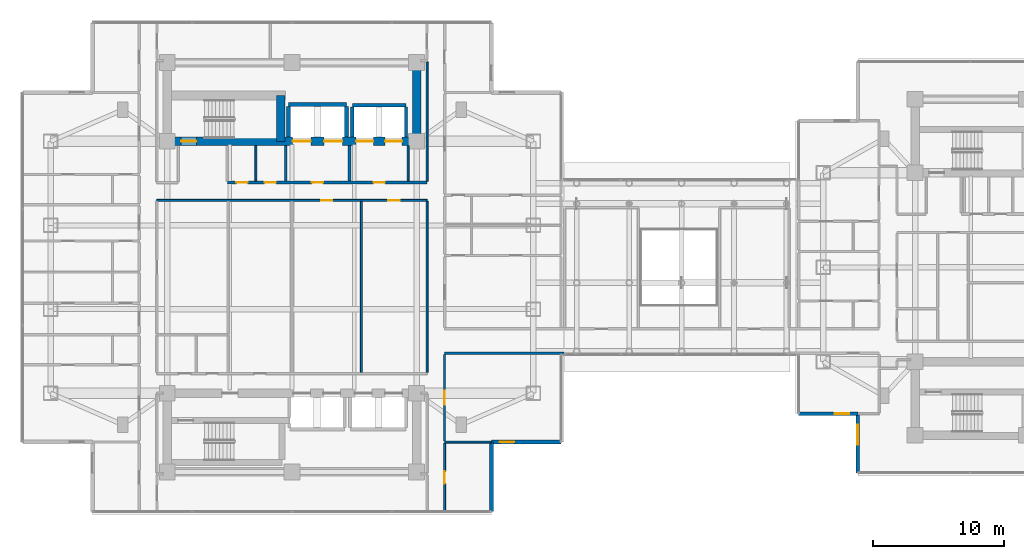
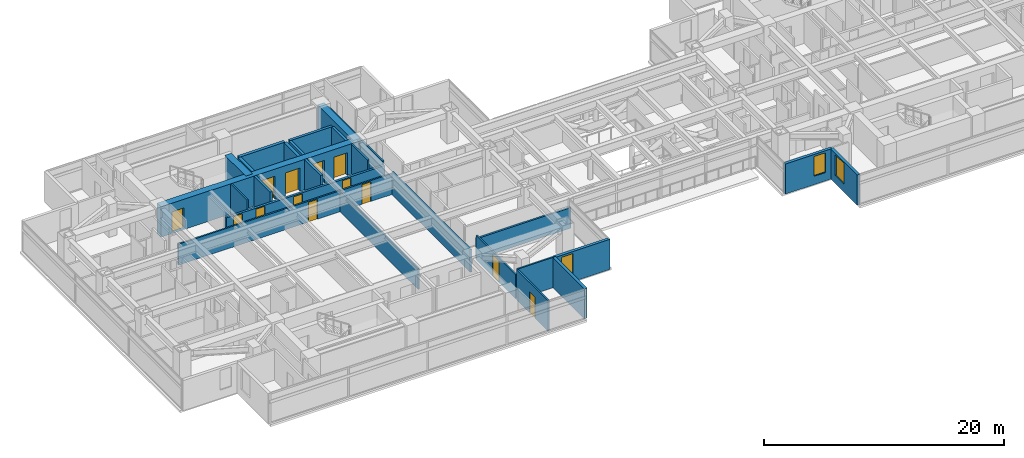
# One storey, part 17 of 28: 26 walls, 13 doors, 3 windows, 16 openings.
"""IFC4 building model written with IfcOpenShell, lengths in metres."""

from ifc_helpers import new_model, si_unit, direction, frame, frame_2d, origin, place, context, subcontext, project, spatial, rectangle, extrude, material, layer, layer_set, type_object, element, fill, save


model = new_model("IFC4")

# Units and contexts
model_context = context("Model", 3, precision=1e-05, world=origin(), true_north=direction((0.0, 1.0)))
body_context = subcontext(model_context, "Body", "Model", "MODEL_VIEW")
ifc_project = project(units=[si_unit("LENGTHUNIT", "METRE"), si_unit("AREAUNIT", "SQUARE_METRE"), si_unit("VOLUMEUNIT", "CUBIC_METRE"), si_unit("PLANEANGLEUNIT", "RADIAN"), si_unit("MASSUNIT", "GRAM", prefix="KILO")], contexts=[model_context])

# Site, building, storey
site_placement = place(None, origin())
site = spatial("IfcSite", under=ifc_project, at=site_placement, CompositionType="ELEMENT")
building_placement = place(site_placement, origin())
building = spatial("IfcBuilding", under=site, at=building_placement, Name="Mirazonda Arch Towers", CompositionType="ELEMENT")
storey_placement = place(building_placement, frame((0.0, 0.0, 91.699951171875)))
storey = spatial("IfcBuildingStorey", under=building, at=storey_placement, Name="L25", CompositionType="ELEMENT", Elevation=91.699951171875)

# Wall
ifc_material_1 = material(Name="Concrete C60/75", Category="concrete")
ifc_layer_1 = layer(ifc_material_1, 0.64990234375, Name="WALL-CORE-650")
ifc_layer_set_1 = layer_set([ifc_layer_1], Name="Concrete C60/75")
wall_type_1 = type_object("IfcWallType", Name="WALL-CORE-650", PredefinedType="SHEAR", material=ifc_layer_set_1)
wall_1_placement = place(storey_placement, frame((30.0, 37.60009765625, 0.0), z_axis=(0.0, 0.0, 1.0), x_axis=(0.0, 1.0, 0.0)))
element("IfcWall", 1, at=wall_1_placement, inside=storey, type_object=wall_type_1, Name="L25 T1N-E Core Shear Wall", PredefinedType="SHEAR", context=body_context, shape_type="SweptSolid", body=[
    extrude(rectangle(XDim=6.0, YDim=0.64990234375, at=frame_2d((3.0, 0.0))), origin(), (0.0, 0.0, 1.0), 3.080078125),
])

# Wall, openings, doors
wall_2_placement = place(storey_placement, frame((11.0, 37.60009765625, 0.0), z_axis=(0.0, 0.0, 1.0), x_axis=(1.0, 0.0, 0.0)))
wall_2 = element("IfcWall", 2, at=wall_2_placement, inside=storey, type_object=wall_type_1, Name="L25 T1N-S Core Shear Wall", PredefinedType="SHEAR", context=body_context, shape_type="SweptSolid", body=[
    extrude(rectangle(XDim=19.0, YDim=0.64990234375, at=frame_2d((9.5, 0.0))), origin(), (0.0, 0.0, 1.0), 3.080078125),
])
opening_1_placement = place(wall_2_placement, frame((1.06005859375, 0.0, 0.0)))
opening_1 = element("IfcOpeningElement", 3, at=opening_1_placement, cuts=wall_2, Name="Opening DR-135", PredefinedType="OPENING", context=body_context, shape_type="SweptSolid", body=[
    extrude(rectangle(XDim=1.14990234375, YDim=2.199951171875, at=frame_2d((0.574951171875, 1.10009765625))), frame((0.0, 0.3349609375, 0.0), z_axis=(0.0, -1.0, 0.0), x_axis=(1.0, 0.0, 0.0)), (0.0, 0.0, 1.0), 0.669921875),
])
opening_2_placement = place(wall_2_placement, frame((9.550048828125, 0.0, 0.0)))
opening_2 = element("IfcOpeningElement", 4, at=opening_2_placement, cuts=wall_2, Name="Opening LD-112", PredefinedType="OPENING", context=body_context, shape_type="SweptSolid", body=[
    extrude(rectangle(XDim=1.39990234375, YDim=2.35009765625, at=frame_2d((0.699951171875, 1.175048828125))), frame((0.0, 0.3349609375, 0.0), z_axis=(0.0, -1.0, 0.0), x_axis=(1.0, 0.0, 0.0)), (0.0, 0.0, 1.0), 0.669921875),
])
opening_3_placement = place(wall_2_placement, frame((11.949951171875, 0.0, 0.0)))
opening_3 = element("IfcOpeningElement", 5, at=opening_3_placement, cuts=wall_2, Name="Opening LD-112", PredefinedType="OPENING", context=body_context, shape_type="SweptSolid", body=[
    extrude(rectangle(XDim=1.39990234375, YDim=2.35009765625, at=frame_2d((0.699951171875, 1.175048828125))), frame((0.0, 0.3349609375, 0.0), z_axis=(0.0, -1.0, 0.0), x_axis=(1.0, 0.0, 0.0)), (0.0, 0.0, 1.0), 0.669921875),
])
opening_4_placement = place(wall_2_placement, frame((14.39990234375, 0.0, 0.0)))
opening_4 = element("IfcOpeningElement", 6, at=opening_4_placement, cuts=wall_2, Name="Opening LD-111", PredefinedType="OPENING", context=body_context, shape_type="SweptSolid", body=[
    extrude(rectangle(XDim=1.300048828125, YDim=2.300048828125, at=frame_2d((0.64990234375, 1.14990234375))), frame((0.0, 0.3349609375, 0.0), z_axis=(0.0, -1.0, 0.0), x_axis=(1.0, 0.0, 0.0)), (0.0, 0.0, 1.0), 0.669921875),
])
opening_5_placement = place(wall_2_placement, frame((16.60009765625, 0.0, 0.0)))
opening_5 = element("IfcOpeningElement", 7, at=opening_5_placement, cuts=wall_2, Name="Opening LD-111", PredefinedType="OPENING", context=body_context, shape_type="SweptSolid", body=[
    extrude(rectangle(XDim=1.300048828125, YDim=2.300048828125, at=frame_2d((0.64990234375, 1.14990234375))), frame((0.0, 0.3349609375, 0.0), z_axis=(0.0, -1.0, 0.0), x_axis=(1.0, 0.0, 0.0)), (0.0, 0.0, 1.0), 0.669921875),
])
ifc_material_2 = material(Name="Architectural Brushed Steel S355", Category="steel")
door_type_1 = type_object("IfcDoorType", Name="DOOR-LIFT-FFL-1400", OperationType="NOTDEFINED", PredefinedType="DOOR", material=ifc_material_2)
door_1_placement = place(opening_2_placement, origin())
door_1 = element("IfcDoor", 8, at=door_1_placement, inside=storey, type_object=door_type_1, Name="L25 Lift Landing Sliding Door FFL-T1", OperationType="DOUBLE_DOOR_SLIDING", OverallHeight=2.35009765625, OverallWidth=1.39990234375, PredefinedType="DOOR", context=body_context, shape_type="SweptSolid", body=[
    extrude(rectangle(XDim=1.39990234375, YDim=2.35009765625, at=frame_2d((0.699951171875, 1.175048828125))), frame((0.0, 0.02490234375, 0.0), z_axis=(0.0, -1.0, 0.0), x_axis=(1.0, 0.0, 0.0)), (0.0, 0.0, 1.0), 0.050048828125),
])
fill(opening_2, door_1)
door_2_placement = place(opening_3_placement, origin())
door_2 = element("IfcDoor", 9, at=door_2_placement, inside=storey, type_object=door_type_1, Name="L25 Lift Landing Sliding Door SVL-T1", OperationType="DOUBLE_DOOR_SLIDING", OverallHeight=2.35009765625, OverallWidth=1.39990234375, PredefinedType="DOOR", context=body_context, shape_type="SweptSolid", body=[
    extrude(rectangle(XDim=1.39990234375, YDim=2.35009765625, at=frame_2d((0.699951171875, 1.175048828125))), frame((0.0, 0.02490234375, 0.0), z_axis=(0.0, -1.0, 0.0), x_axis=(1.0, 0.0, 0.0)), (0.0, 0.0, 1.0), 0.050048828125),
])
fill(opening_3, door_2)
door_type_2 = type_object("IfcDoorType", Name="DOOR-LIFT-LAND-1300", OperationType="NOTDEFINED", PredefinedType="DOOR", material=ifc_material_2)
door_3_placement = place(opening_4_placement, origin())
door_3 = element("IfcDoor", 10, at=door_3_placement, inside=storey, type_object=door_type_2, Name="L25 Lift Landing Sliding Door PL-T1L1", OperationType="DOUBLE_DOOR_SLIDING", OverallHeight=2.300048828125, OverallWidth=1.300048828125, PredefinedType="DOOR", context=body_context, shape_type="SweptSolid", body=[
    extrude(rectangle(XDim=1.300048828125, YDim=2.300048828125, at=frame_2d((0.64990234375, 1.14990234375))), frame((0.0, 0.02490234375, 0.0), z_axis=(0.0, -1.0, 0.0), x_axis=(1.0, 0.0, 0.0)), (0.0, 0.0, 1.0), 0.050048828125),
])
fill(opening_4, door_3)
door_4_placement = place(opening_5_placement, origin())
door_4 = element("IfcDoor", 11, at=door_4_placement, inside=storey, type_object=door_type_2, Name="L25 Lift Landing Sliding Door PL-T1L2", OperationType="DOUBLE_DOOR_SLIDING", OverallHeight=2.300048828125, OverallWidth=1.300048828125, PredefinedType="DOOR", context=body_context, shape_type="SweptSolid", body=[
    extrude(rectangle(XDim=1.300048828125, YDim=2.300048828125, at=frame_2d((0.64990234375, 1.14990234375))), frame((0.0, 0.02490234375, 0.0), z_axis=(0.0, -1.0, 0.0), x_axis=(1.0, 0.0, 0.0)), (0.0, 0.0, 1.0), 0.050048828125),
])
fill(opening_5, door_4)
door_type_3 = type_object("IfcDoorType", Name="DOOR-STAIR-FD90-1150", OperationType="NOTDEFINED", PredefinedType="DOOR", material=ifc_material_2)
door_5_placement = place(opening_1_placement, origin())
door_5 = element("IfcDoor", 12, at=door_5_placement, inside=storey, type_object=door_type_3, Name="L25 Protected Exit Stair North Door", OperationType="SINGLE_SWING_RIGHT", OverallHeight=2.199951171875, OverallWidth=1.14990234375, PredefinedType="DOOR", context=body_context, shape_type="SweptSolid", body=[
    extrude(rectangle(XDim=1.14990234375, YDim=2.199951171875, at=frame_2d((0.574951171875, 1.10009765625))), frame((0.0, 0.02490234375, 0.0), z_axis=(0.0, -1.0, 0.0), x_axis=(1.0, 0.0, 0.0)), (0.0, 0.0, 1.0), 0.050048828125),
])
fill(opening_1, door_5)

# Wall
wall_3_placement = place(storey_placement, frame((19.64990234375, 37.60009765625, 0.0), z_axis=(0.0, 0.0, 1.0), x_axis=(0.0, 1.0, 0.0)))
element("IfcWall", 13, at=wall_3_placement, inside=storey, type_object=wall_type_1, Name="L25 T1N-STE Core Shear Wall", PredefinedType="SHEAR", context=body_context, shape_type="SweptSolid", body=[
    extrude(rectangle(XDim=3.492919921875, YDim=0.64990234375, at=frame_2d((1.74658203125, 0.0))), origin(), (0.0, 0.0, 1.0), 3.080078125),
])

# Wall, opening, window
ifc_material_3 = material(Name="Precast Concrete C40/50", Category="concrete")
ifc_layer_2 = layer(ifc_material_3, 0.280029296875, Name="WALL-EXT-WALL-280")
ifc_layer_set_2 = layer_set([ifc_layer_2], Name="Precast Concrete C40/50")
wall_type_2 = type_object("IfcWallType", Name="WALL-EXT-WALL-280", PredefinedType="SOLIDWALL", material=ifc_layer_set_2)
wall_4_placement = place(storey_placement, frame((35.705078125, 14.677001953125, 0.0), z_axis=(0.0, 0.0, 1.0), x_axis=(1.0, 0.0, 0.0)))
wall_4 = element("IfcWall", 14, at=wall_4_placement, inside=storey, type_object=wall_type_2, Name="L25 T1 Corner Notch Return Wall WL-L25-T1-CSE1", PredefinedType="SOLIDWALL", context=body_context, shape_type="SweptSolid", body=[
    extrude(rectangle(XDim=5.304931640625, YDim=0.280029296875, at=frame_2d((2.65234375, 0.0))), origin(), (0.0, 0.0, 1.0), 3.06005859375),
])
opening_6_placement = place(wall_4_placement, frame((0.64990234375, 0.0, 0.85009765625)))
opening_6 = element("IfcOpeningElement", 15, at=opening_6_placement, cuts=wall_4, Name="Opening WN-108", PredefinedType="OPENING", context=body_context, shape_type="SweptSolid", body=[
    extrude(rectangle(XDim=1.10009765625, YDim=2.0, at=frame_2d((0.550048828125, 1.0))), frame((0.0, 0.14990234375, 0.0), z_axis=(0.0, -1.0, 0.0), x_axis=(1.0, 0.0, 0.0)), (0.0, 0.0, 1.0), 0.300048828125),
])
ifc_material_4 = material(Name="Insulated Low-E Solar Glass", Category="glass")
window_type_1 = type_object("IfcWindowType", Name="WIN-NOTCH-1100x2000", PartitioningType="SINGLE_PANEL", PredefinedType="WINDOW", material=ifc_material_4)
window_1_placement = place(opening_6_placement, origin())
window_1 = element("IfcWindow", 16, at=window_1_placement, inside=storey, type_object=window_type_1, Name="L25 Punched Facade Window WN-L25-T1-CSE1", OverallHeight=2.0, OverallWidth=1.10009765625, PartitioningType="SINGLE_PANEL", PredefinedType="WINDOW", context=body_context, shape_type="SweptSolid", body=[
    extrude(rectangle(XDim=1.10009765625, YDim=2.0, at=frame_2d((0.550048828125, 1.0))), frame((0.0, 0.030029296875, 0.0), z_axis=(0.0, -1.0, 0.0), x_axis=(1.0, 0.0, 0.0)), (0.0, 0.0, 1.0), 0.06005859375),
])
fill(opening_6, window_1)

# Wall
wall_5_placement = place(storey_placement, frame((35.705078125, 9.3720703125, 0.0), z_axis=(0.0, 0.0, 1.0), x_axis=(0.0, 1.0, 0.0)))
element("IfcWall", 17, at=wall_5_placement, inside=storey, type_object=wall_type_2, Name="L25 T1 Corner Notch Return Wall WL-L25-T1-CSE2", PredefinedType="SOLIDWALL", context=body_context, shape_type="SweptSolid", body=[
    extrude(rectangle(XDim=5.304931640625, YDim=0.280029296875, at=frame_2d((2.65234375, 0.0))), origin(), (0.0, 0.0, 1.0), 3.06005859375),
])

# Wall, opening, window
wall_6_placement = place(storey_placement, frame((63.6357421875, 16.83544921875, 0.0), z_axis=(0.0, 0.0, 1.0), x_axis=(0.0, -1.0, 0.0)))
wall_6 = element("IfcWall", 18, at=wall_6_placement, inside=storey, type_object=wall_type_2, Name="L25 T2 Notched SW Corner Wall WL-L25-T2-CSW", PredefinedType="SOLIDWALL", context=body_context, shape_type="SweptSolid", body=[
    extrude(rectangle(XDim=4.516357421875, YDim=0.280029296875, at=frame_2d((2.25830078125, 0.0))), origin(), (0.0, 0.0, 1.0), 3.06005859375),
])
opening_7_placement = place(wall_6_placement, frame((0.85009765625, 0.0, 0.81005859375)))
opening_7 = element("IfcOpeningElement", 19, at=opening_7_placement, cuts=wall_6, Name="Opening WN-120", PredefinedType="OPENING", context=body_context, shape_type="SweptSolid", body=[
    extrude(rectangle(XDim=1.5, YDim=2.10009765625, at=frame_2d((0.75, 1.050048828125))), frame((0.0, 0.14990234375, 0.0), z_axis=(0.0, -1.0, 0.0), x_axis=(1.0, 0.0, 0.0)), (0.0, 0.0, 1.0), 0.300048828125),
])
window_type_2 = type_object("IfcWindowType", Name="WIN-HTL-1500x2100", PartitioningType="SINGLE_PANEL", PredefinedType="WINDOW", material=ifc_material_4)
window_2_placement = place(opening_7_placement, origin())
window_2 = element("IfcWindow", 20, at=window_2_placement, inside=storey, type_object=window_type_2, Name="L25 Punched Facade Window WN-L25-T2-CSW", OverallHeight=2.10009765625, OverallWidth=1.5, PartitioningType="SINGLE_PANEL", PredefinedType="WINDOW", context=body_context, shape_type="SweptSolid", body=[
    extrude(rectangle(XDim=1.5, YDim=2.10009765625, at=frame_2d((0.75, 1.050048828125))), frame((0.0, 0.030029296875, 0.0), z_axis=(0.0, -1.0, 0.0), x_axis=(1.0, 0.0, 0.0)), (0.0, 0.0, 1.0), 0.06005859375),
])
fill(opening_7, window_2)

wall_7_placement = place(storey_placement, frame((59.119384765625, 16.83544921875, 0.0), z_axis=(0.0, 0.0, 1.0), x_axis=(1.0, 0.0, 0.0)))
wall_7 = element("IfcWall", 21, at=wall_7_placement, inside=storey, type_object=wall_type_2, Name="L25 T2 Corner Notch Return Wall WL-L25-T2-CSW2", PredefinedType="SOLIDWALL", context=body_context, shape_type="SweptSolid", body=[
    extrude(rectangle(XDim=4.516357421875, YDim=0.280029296875, at=frame_2d((2.25830078125, 0.0))), origin(), (0.0, 0.0, 1.0), 3.06005859375),
])
opening_8_placement = place(wall_7_placement, frame((2.76611328125, 0.0, 0.85009765625)))
opening_8 = element("IfcOpeningElement", 22, at=opening_8_placement, cuts=wall_7, Name="Opening WN-108", PredefinedType="OPENING", context=body_context, shape_type="SweptSolid", body=[
    extrude(rectangle(XDim=1.10009765625, YDim=2.0, at=frame_2d((0.550048828125, 1.0))), frame((0.0, 0.14990234375, 0.0), z_axis=(0.0, -1.0, 0.0), x_axis=(1.0, 0.0, 0.0)), (0.0, 0.0, 1.0), 0.300048828125),
])
window_3_placement = place(opening_8_placement, origin())
window_3 = element("IfcWindow", 23, at=window_3_placement, inside=storey, type_object=window_type_1, Name="L25 Punched Facade Window WN-L25-T2-CSW2", OverallHeight=2.0, OverallWidth=1.10009765625, PartitioningType="SINGLE_PANEL", PredefinedType="WINDOW", context=body_context, shape_type="SweptSolid", body=[
    extrude(rectangle(XDim=1.10009765625, YDim=2.0, at=frame_2d((0.550048828125, 1.0))), frame((0.0, 0.030029296875, 0.0), z_axis=(0.0, -1.0, 0.0), x_axis=(1.0, 0.0, 0.0)), (0.0, 0.0, 1.0), 0.06005859375),
])
fill(opening_8, window_3)

# Wall, openings, doors
ifc_material_5 = material(Name="Concrete C40/50", Category="concrete")
ifc_layer_3 = layer(ifc_material_5, 0.219970703125, Name="WALL-FFL-220")
ifc_layer_set_3 = layer_set([ifc_layer_3], Name="Concrete C40/50")
wall_type_3 = type_object("IfcWallType", Name="WALL-FFL-220", PredefinedType="SOLIDWALL", material=ifc_layer_set_3)
wall_8_placement = place(storey_placement, frame((15.590087890625, 34.449951171875, 0.0), z_axis=(0.0, 0.0, 1.0), x_axis=(1.0, 0.0, 0.0)))
wall_8 = element("IfcWall", 24, at=wall_8_placement, inside=storey, type_object=wall_type_3, Name="L25 Interior Partition 049", PredefinedType="SOLIDWALL", context=body_context, shape_type="SweptSolid", body=[
    extrude(rectangle(XDim=15.2099609375, YDim=0.219970703125, at=frame_2d((7.60498046875, 0.0))), origin(), (0.0, 0.0, 1.0), 2.1240234375),
])
opening_9_placement = place(wall_8_placement, frame((6.43505859375, 0.0, 0.0)))
opening_9 = element("IfcOpeningElement", 25, at=opening_9_placement, cuts=wall_8, Name="Opening DR-128", PredefinedType="OPENING", context=body_context, shape_type="SweptSolid", body=[
    extrude(rectangle(XDim=0.85009765625, YDim=2.010009765625, at=frame_2d((0.425048828125, 1.0048828125))), frame((0.0, 0.119873046875, 0.0), z_axis=(0.0, -1.0, 0.0), x_axis=(1.0, 0.0, 0.0)), (0.0, 0.0, 1.0), 0.239990234375),
])
opening_10_placement = place(wall_8_placement, frame((11.135009765625, 0.0, 0.0)))
opening_10 = element("IfcOpeningElement", 26, at=opening_10_placement, cuts=wall_8, Name="Opening DR-128", PredefinedType="OPENING", context=body_context, shape_type="SweptSolid", body=[
    extrude(rectangle(XDim=0.85009765625, YDim=2.010009765625, at=frame_2d((0.425048828125, 1.0048828125))), frame((0.0, 0.119873046875, 0.0), z_axis=(0.0, -1.0, 0.0), x_axis=(1.0, 0.0, 0.0)), (0.0, 0.0, 1.0), 0.239990234375),
])
opening_11_placement = place(wall_8_placement, frame((0.675048828125, 0.0, 0.0)))
opening_11 = element("IfcOpeningElement", 27, at=opening_11_placement, cuts=wall_8, Name="Opening DR-128", PredefinedType="OPENING", context=body_context, shape_type="SweptSolid", body=[
    extrude(rectangle(XDim=0.85009765625, YDim=2.010009765625, at=frame_2d((0.425048828125, 1.0048828125))), frame((0.0, 0.119873046875, 0.0), z_axis=(0.0, -1.0, 0.0), x_axis=(1.0, 0.0, 0.0)), (0.0, 0.0, 1.0), 0.239990234375),
])
opening_12_placement = place(wall_8_placement, frame((2.8349609375, 0.0, 0.0)))
opening_12 = element("IfcOpeningElement", 28, at=opening_12_placement, cuts=wall_8, Name="Opening DR-128", PredefinedType="OPENING", context=body_context, shape_type="SweptSolid", body=[
    extrude(rectangle(XDim=0.85009765625, YDim=2.010009765625, at=frame_2d((0.425048828125, 1.0048828125))), frame((0.0, 0.119873046875, 0.0), z_axis=(0.0, -1.0, 0.0), x_axis=(1.0, 0.0, 0.0)), (0.0, 0.0, 1.0), 0.239990234375),
])
door_type_4 = type_object("IfcDoorType", Name="DOOR-RISER-FD60-850", OperationType="NOTDEFINED", PredefinedType="DOOR", material=ifc_material_2)
door_6_placement = place(opening_9_placement, origin())
door_6 = element("IfcDoor", 29, at=door_6_placement, inside=storey, type_object=door_type_4, Name="L25 Firefighting Lift Lobby Door", OperationType="SINGLE_SWING_LEFT", OverallHeight=2.010009765625, OverallWidth=0.85009765625, PredefinedType="DOOR", context=body_context, shape_type="SweptSolid", body=[
    extrude(rectangle(XDim=0.85009765625, YDim=2.010009765625, at=frame_2d((0.425048828125, 1.0048828125))), frame((0.0, 0.02490234375, 0.0), z_axis=(0.0, -1.0, 0.0), x_axis=(1.0, 0.0, 0.0)), (0.0, 0.0, 1.0), 0.050048828125),
])
fill(opening_9, door_6)
door_7_placement = place(opening_10_placement, origin())
door_7 = element("IfcDoor", 30, at=door_7_placement, inside=storey, type_object=door_type_4, Name="L25 Passenger Lift Lobby North Door", OperationType="SINGLE_SWING_RIGHT", OverallHeight=2.010009765625, OverallWidth=0.85009765625, PredefinedType="DOOR", context=body_context, shape_type="SweptSolid", body=[
    extrude(rectangle(XDim=0.85009765625, YDim=2.010009765625, at=frame_2d((0.425048828125, 1.0048828125))), frame((0.0, 0.02490234375, 0.0), z_axis=(0.0, -1.0, 0.0), x_axis=(1.0, 0.0, 0.0)), (0.0, 0.0, 1.0), 0.050048828125),
])
fill(opening_10, door_7)
door_8_placement = place(opening_11_placement, origin())
door_8 = element("IfcDoor", 31, at=door_8_placement, inside=storey, type_object=door_type_4, Name="L25 Electrical Room Door", OperationType="SINGLE_SWING_LEFT", OverallHeight=2.010009765625, OverallWidth=0.85009765625, PredefinedType="DOOR", context=body_context, shape_type="SweptSolid", body=[
    extrude(rectangle(XDim=0.85009765625, YDim=2.010009765625, at=frame_2d((0.425048828125, 1.0048828125))), frame((0.0, 0.02490234375, 0.0), z_axis=(0.0, -1.0, 0.0), x_axis=(1.0, 0.0, 0.0)), (0.0, 0.0, 1.0), 0.050048828125),
])
fill(opening_11, door_8)
door_9_placement = place(opening_12_placement, origin())
door_9 = element("IfcDoor", 32, at=door_9_placement, inside=storey, type_object=door_type_4, Name="L25 Cleaners & Housekeeping Store Door", OperationType="SINGLE_SWING_RIGHT", OverallHeight=2.010009765625, OverallWidth=0.85009765625, PredefinedType="DOOR", context=body_context, shape_type="SweptSolid", body=[
    extrude(rectangle(XDim=0.85009765625, YDim=2.010009765625, at=frame_2d((0.425048828125, 1.0048828125))), frame((0.0, 0.02490234375, 0.0), z_axis=(0.0, -1.0, 0.0), x_axis=(1.0, 0.0, 0.0)), (0.0, 0.0, 1.0), 0.050048828125),
])
fill(opening_12, door_9)

# Walls
for number, where, z_axis, x_axis, name in (
    (33, (20.02490234375, 34.570068359375, 0.0), (0.0, 0.0, 1.0), (0.0, 1.0, 0.0), "L25 Interior Partition 093"),
    (34, (24.875, 34.570068359375, 0.0), (0.0, 0.0, 1.0), (0.0, 1.0, 0.0), "L25 Interior Partition 101"),
):
    element("IfcWall", number, at=place(storey_placement, frame(where, z_axis=z_axis, x_axis=x_axis)), inside=storey, type_object=wall_type_3, Name=name, PredefinedType="SOLIDWALL", context=body_context, shape_type="SweptSolid", body=[
        extrude(rectangle(XDim=2.7099609375, YDim=0.219970703125, at=frame_2d((1.35498046875, 0.0))), origin(), (0.0, 0.0, 1.0), 3.080078125),
    ])
ifc_material_6 = material(Name="Fire-Rated Gypsum Stud Partition")
ifc_layer_4 = layer(ifc_material_6, 0.14990234375, Name="WALL-PART-CORR-150")
ifc_layer_set_4 = layer_set([ifc_layer_4], Name="Fire-Rated Gypsum Stud Partition")
wall_type_4 = type_object("IfcWallType", Name="WALL-PART-CORR-150", PredefinedType="PARTITIONING", material=ifc_layer_set_4)
wall_9_placement = place(storey_placement, frame((32.139892578125, 14.677001953125, 0.0), z_axis=(0.0, 0.0, 1.0), x_axis=(1.0, 0.0, 0.0)))
element("IfcWall", 35, at=wall_9_placement, inside=storey, type_object=wall_type_4, Name="L25 Interior Partition 005", PredefinedType="PARTITIONING", context=body_context, shape_type="SweptSolid", body=[
    extrude(rectangle(XDim=3.545166015625, YDim=0.14990234375, at=frame_2d((1.7724609375, 0.0))), origin(), (0.0, 0.0, 1.0), 3.080078125),
])

# Wall, openings, doors
wall_10_placement = place(storey_placement, frame((10.199951171875, 33.10009765625, 0.0), z_axis=(0.0, 0.0, 1.0), x_axis=(1.0, 0.0, 0.0)))
wall_10 = element("IfcWall", 36, at=wall_10_placement, inside=storey, type_object=wall_type_4, Name="L25 Interior Partition 046", PredefinedType="PARTITIONING", context=body_context, shape_type="SweptSolid", body=[
    extrude(rectangle(XDim=20.60009765625, YDim=0.14990234375, at=frame_2d((10.300048828125, 0.0))), origin(), (0.0, 0.0, 1.0), 2.1240234375),
])
opening_13_placement = place(wall_10_placement, frame((12.51904296875, 0.0, 0.0)))
opening_13 = element("IfcOpeningElement", 37, at=opening_13_placement, cuts=wall_10, Name="Opening DR-128", PredefinedType="OPENING", context=body_context, shape_type="SweptSolid", body=[
    extrude(rectangle(XDim=0.85009765625, YDim=2.010009765625, at=frame_2d((0.425048828125, 1.0048828125))), frame((0.0, 0.0849609375, 0.0), z_axis=(0.0, -1.0, 0.0), x_axis=(1.0, 0.0, 0.0)), (0.0, 0.0, 1.0), 0.169921875),
])
opening_14_placement = place(wall_10_placement, frame((17.653564453125, 0.0, 0.0)))
opening_14 = element("IfcOpeningElement", 38, at=opening_14_placement, cuts=wall_10, Name="Opening DR-128", PredefinedType="OPENING", context=body_context, shape_type="SweptSolid", body=[
    extrude(rectangle(XDim=0.85009765625, YDim=2.010009765625, at=frame_2d((0.425048828125, 1.0048828125))), frame((0.0, 0.0849609375, 0.0), z_axis=(0.0, -1.0, 0.0), x_axis=(1.0, 0.0, 0.0)), (0.0, 0.0, 1.0), 0.169921875),
])
door_10_placement = place(opening_13_placement, origin())
door_10 = element("IfcDoor", 39, at=door_10_placement, inside=storey, type_object=door_type_4, Name="L25 Concierge Salon Door", OperationType="SINGLE_SWING_LEFT", OverallHeight=2.010009765625, OverallWidth=0.85009765625, PredefinedType="DOOR", context=body_context, shape_type="SweptSolid", body=[
    extrude(rectangle(XDim=0.85009765625, YDim=2.010009765625, at=frame_2d((0.425048828125, 1.0048828125))), frame((0.0, 0.02490234375, 0.0), z_axis=(0.0, -1.0, 0.0), x_axis=(1.0, 0.0, 0.0)), (0.0, 0.0, 1.0), 0.050048828125),
])
fill(opening_13, door_10)
door_11_placement = place(opening_14_placement, origin())
door_11 = element("IfcDoor", 40, at=door_11_placement, inside=storey, type_object=door_type_4, Name="L25 Private Meeting Suite Door", OperationType="SINGLE_SWING_RIGHT", OverallHeight=2.010009765625, OverallWidth=0.85009765625, PredefinedType="DOOR", context=body_context, shape_type="SweptSolid", body=[
    extrude(rectangle(XDim=0.85009765625, YDim=2.010009765625, at=frame_2d((0.425048828125, 1.0048828125))), frame((0.0, 0.02490234375, 0.0), z_axis=(0.0, -1.0, 0.0), x_axis=(1.0, 0.0, 0.0)), (0.0, 0.0, 1.0), 0.050048828125),
])
fill(opening_14, door_11)

# Walls
wall_11_placement = place(storey_placement, frame((17.75, 34.570068359375, 0.0), z_axis=(0.0, 0.0, 1.0), x_axis=(0.0, 1.0, 0.0)))
element("IfcWall", 41, at=wall_11_placement, inside=storey, type_object=wall_type_4, Name="L25 Interior Partition 090", PredefinedType="PARTITIONING", context=body_context, shape_type="SweptSolid", body=[
    extrude(rectangle(XDim=2.7099609375, YDim=0.14990234375, at=frame_2d((1.35498046875, 0.0))), origin(), (0.0, 0.0, 1.0), 3.080078125),
])
wall_12_placement = place(storey_placement, frame((25.797119140625, 19.985107421875, 0.0), z_axis=(0.0, 0.0, 1.0), x_axis=(0.0, 1.0, 0.0)))
element("IfcWall", 42, at=wall_12_placement, inside=storey, type_object=wall_type_4, Name="L25 Interior Partition 103", PredefinedType="PARTITIONING", context=body_context, shape_type="SweptSolid", body=[
    extrude(rectangle(XDim=13.02978515625, YDim=0.14990234375, at=frame_2d((6.514892578125, 0.0))), origin(), (0.0, 0.0, 1.0), 2.1240234375),
])
wall_13_placement = place(storey_placement, frame((29.35009765625, 34.570068359375, 0.0), z_axis=(0.0, 0.0, 1.0), x_axis=(0.0, 1.0, 0.0)))
element("IfcWall", 43, at=wall_13_placement, inside=storey, type_object=wall_type_4, Name="L25 Interior Partition 105", PredefinedType="PARTITIONING", context=body_context, shape_type="SweptSolid", body=[
    extrude(rectangle(XDim=2.7099609375, YDim=0.14990234375, at=frame_2d((1.35498046875, 0.0))), origin(), (0.0, 0.0, 1.0), 3.080078125),
])
wall_14_placement = place(storey_placement, frame((30.800048828125, 19.985107421875, 0.0), z_axis=(0.0, 0.0, 1.0), x_axis=(0.0, 1.0, 0.0)))
element("IfcWall", 44, at=wall_14_placement, inside=storey, type_object=wall_type_4, Name="L25 Interior Partition 109", PredefinedType="PARTITIONING", context=body_context, shape_type="SweptSolid", body=[
    extrude(rectangle(XDim=13.02978515625, YDim=0.14990234375, at=frame_2d((6.514892578125, 0.0))), origin(), (0.0, 0.0, 1.0), 2.299072265625),
])
wall_15_placement = place(storey_placement, frame((30.800048828125, 34.570068359375, 0.0), z_axis=(0.0, 0.0, 1.0), x_axis=(0.0, 1.0, 0.0)))
element("IfcWall", 45, at=wall_15_placement, inside=storey, type_object=wall_type_4, Name="L25 Interior Partition 110", PredefinedType="PARTITIONING", context=body_context, shape_type="SweptSolid", body=[
    extrude(rectangle(XDim=9.094970703125, YDim=0.14990234375, at=frame_2d((4.54736328125, 0.0))), origin(), (0.0, 0.0, 1.0), 2.4560546875),
])

# Wall, opening, door
wall_16_placement = place(storey_placement, frame((32.139892578125, 9.3720703125, 0.0), z_axis=(0.0, 0.0, 1.0), x_axis=(0.0, 1.0, 0.0)))
wall_16 = element("IfcWall", 46, at=wall_16_placement, inside=storey, type_object=wall_type_4, Name="L25 Interior Partition 112", PredefinedType="PARTITIONING", context=body_context, shape_type="SweptSolid", body=[
    extrude(rectangle(XDim=5.219970703125, YDim=0.14990234375, at=frame_2d((2.60986328125, 0.0))), origin(), (0.0, 0.0, 1.0), 3.080078125),
])
opening_15_placement = place(wall_16_placement, frame((2.135009765625, 0.0, 0.0)))
opening_15 = element("IfcOpeningElement", 47, at=opening_15_placement, cuts=wall_16, Name="Opening DR-104", PredefinedType="OPENING", context=body_context, shape_type="SweptSolid", body=[
    extrude(rectangle(XDim=0.949951171875, YDim=2.14990234375, at=frame_2d((0.47509765625, 1.074951171875))), frame((0.0, 0.0849609375, 0.0), z_axis=(0.0, -1.0, 0.0), x_axis=(1.0, 0.0, 0.0)), (0.0, 0.0, 1.0), 0.169921875),
])
door_type_5 = type_object("IfcDoorType", Name="DOOR-ROOM-950", OperationType="NOTDEFINED", PredefinedType="DOOR", material=ifc_material_2)
door_12_placement = place(opening_15_placement, origin())
door_12 = element("IfcDoor", 48, at=door_12_placement, inside=storey, type_object=door_type_5, Name="L25 South Horizon Lounge Alcove East Door", OperationType="SINGLE_SWING_LEFT", OverallHeight=2.14990234375, OverallWidth=0.949951171875, PredefinedType="DOOR", context=body_context, shape_type="SweptSolid", body=[
    extrude(rectangle(XDim=0.949951171875, YDim=2.14990234375, at=frame_2d((0.47509765625, 1.074951171875))), frame((0.0, 0.02490234375, 0.0), z_axis=(0.0, -1.0, 0.0), x_axis=(1.0, 0.0, 0.0)), (0.0, 0.0, 1.0), 0.050048828125),
])
fill(opening_15, door_12)

wall_17_placement = place(storey_placement, frame((32.139892578125, 14.761962890625, 0.0), z_axis=(0.0, 0.0, 1.0), x_axis=(0.0, 1.0, 0.0)))
wall_17 = element("IfcWall", 49, at=wall_17_placement, inside=storey, type_object=wall_type_4, Name="L25 Interior Partition 113", PredefinedType="PARTITIONING", context=body_context, shape_type="SweptSolid", body=[
    extrude(rectangle(XDim=6.588134765625, YDim=0.14990234375, at=frame_2d((3.2939453125, 0.0))), origin(), (0.0, 0.0, 1.0), 2.4560546875),
])
opening_16_placement = place(wall_17_placement, frame((2.76904296875, 0.0, 0.0)))
opening_16 = element("IfcOpeningElement", 50, at=opening_16_placement, cuts=wall_17, Name="Opening DR-121", PredefinedType="OPENING", context=body_context, shape_type="SweptSolid", body=[
    extrude(rectangle(XDim=1.050048828125, YDim=2.199951171875, at=frame_2d((0.52490234375, 1.10009765625))), frame((0.0, 0.0849609375, 0.0), z_axis=(0.0, -1.0, 0.0), x_axis=(1.0, 0.0, 0.0)), (0.0, 0.0, 1.0), 0.169921875),
])
door_type_6 = type_object("IfcDoorType", Name="DOOR-SUITE-FD60-1050", OperationType="NOTDEFINED", PredefinedType="DOOR", material=ifc_material_2)
door_13_placement = place(opening_16_placement, origin())
door_13 = element("IfcDoor", 51, at=door_13_placement, inside=storey, type_object=door_type_6, Name="L25 L25 South-East Sky-Bridge Club Salon Door", OperationType="SINGLE_SWING_LEFT", OverallHeight=2.199951171875, OverallWidth=1.050048828125, PredefinedType="DOOR", context=body_context, shape_type="SweptSolid", body=[
    extrude(rectangle(XDim=1.050048828125, YDim=2.199951171875, at=frame_2d((0.52490234375, 1.10009765625))), frame((0.0, 0.02490234375, 0.0), z_axis=(0.0, -1.0, 0.0), x_axis=(1.0, 0.0, 0.0)), (0.0, 0.0, 1.0), 0.050048828125),
])
fill(opening_16, door_13)

# Walls
ifc_material_7 = material(Name="Fire-Rated Gypsum Twin-Stud Assembly")
ifc_layer_5 = layer(ifc_material_7, 0.179931640625, Name="WALL-PART-DEMISE-180")
ifc_layer_set_5 = layer_set([ifc_layer_5], Name="Fire-Rated Gypsum Twin-Stud Assembly")
wall_type_5 = type_object("IfcWallType", Name="WALL-PART-DEMISE-180", PredefinedType="PARTITIONING", material=ifc_layer_set_5)
wall_18_placement = place(storey_placement, frame((32.139892578125, 21.449951171875, 0.0), z_axis=(0.0, 0.0, 1.0), x_axis=(1.0, 0.0, 0.0)))
element("IfcWall", 52, at=wall_18_placement, inside=storey, type_object=wall_type_5, Name="L25 Interior Partition 021", PredefinedType="PARTITIONING", context=body_context, shape_type="SweptSolid", body=[
    extrude(rectangle(XDim=9.080078125, YDim=0.179931640625, at=frame_2d((4.5400390625, 0.0))), origin(), (0.0, 0.0, 1.0), 2.0849609375),
])
ifc_layer_6 = layer(ifc_material_5, 0.25, Name="WALL-SHAFT-250")
ifc_layer_set_6 = layer_set([ifc_layer_6], Name="Concrete C40/50")
wall_type_6 = type_object("IfcWallType", Name="WALL-SHAFT-250", PredefinedType="SOLIDWALL", material=ifc_layer_set_6)
wall_19_placement = place(storey_placement, frame((25.10009765625, 40.35009765625, 0.0), z_axis=(0.0, 0.0, 1.0), x_axis=(1.0, 0.0, 0.0)))
element("IfcWall", 53, at=wall_19_placement, inside=storey, type_object=wall_type_6, Name="L25 Interior Partition 059", PredefinedType="SOLIDWALL", context=body_context, shape_type="SweptSolid", body=[
    extrude(rectangle(XDim=4.099853515625, YDim=0.25, at=frame_2d((2.0498046875, 0.0))), origin(), (0.0, 0.0, 1.0), 3.080078125),
])
for number, where, z_axis, x_axis, name in (
    (54, (25.10009765625, 37.919921875, 0.0), (0.0, 0.0, 1.0), (0.0, 1.0, 0.0), "L25 Interior Partition 102"),
    (55, (29.199951171875, 37.919921875, 0.0), (0.0, 0.0, 1.0), (0.0, 1.0, 0.0), "L25 Interior Partition 106"),
):
    element("IfcWall", number, at=place(storey_placement, frame(where, z_axis=z_axis, x_axis=x_axis)), inside=storey, type_object=wall_type_6, Name=name, PredefinedType="SOLIDWALL", context=body_context, shape_type="SweptSolid", body=[
        extrude(rectangle(XDim=2.295166015625, YDim=0.25, at=frame_2d((1.1474609375, 0.0))), origin(), (0.0, 0.0, 1.0), 3.080078125),
    ])
ifc_material_8 = material(Name="Concrete C50/60", Category="concrete")
ifc_layer_7 = layer(ifc_material_8, 0.300048828125, Name="WALL-SHAFT-300")
ifc_layer_set_7 = layer_set([ifc_layer_7], Name="Concrete C50/60")
wall_type_7 = type_object("IfcWallType", Name="WALL-SHAFT-300", PredefinedType="SOLIDWALL", material=ifc_layer_set_7)
wall_20_placement = place(storey_placement, frame((20.25, 40.39990234375, 0.0), z_axis=(0.0, 0.0, 1.0), x_axis=(1.0, 0.0, 0.0)))
element("IfcWall", 56, at=wall_20_placement, inside=storey, type_object=wall_type_7, Name="L25 Interior Partition 060", PredefinedType="SOLIDWALL", context=body_context, shape_type="SweptSolid", body=[
    extrude(rectangle(XDim=4.39990234375, YDim=0.300048828125, at=frame_2d((2.199951171875, 0.0))), origin(), (0.0, 0.0, 1.0), 3.080078125),
])
for number, where, z_axis, x_axis, name in (
    (57, (20.25, 37.919921875, 0.0), (0.0, 0.0, 1.0), (0.0, 1.0, 0.0), "L25 Interior Partition 096"),
    (58, (24.64990234375, 37.919921875, 0.0), (0.0, 0.0, 1.0), (0.0, 1.0, 0.0), "L25 Interior Partition 099"),
):
    element("IfcWall", number, at=place(storey_placement, frame(where, z_axis=z_axis, x_axis=x_axis)), inside=storey, type_object=wall_type_7, Name=name, PredefinedType="SOLIDWALL", context=body_context, shape_type="SweptSolid", body=[
        extrude(rectangle(XDim=2.320068359375, YDim=0.300048828125, at=frame_2d((1.16015625, 0.0))), origin(), (0.0, 0.0, 1.0), 3.080078125),
    ])

save(model, "model.ifc")
